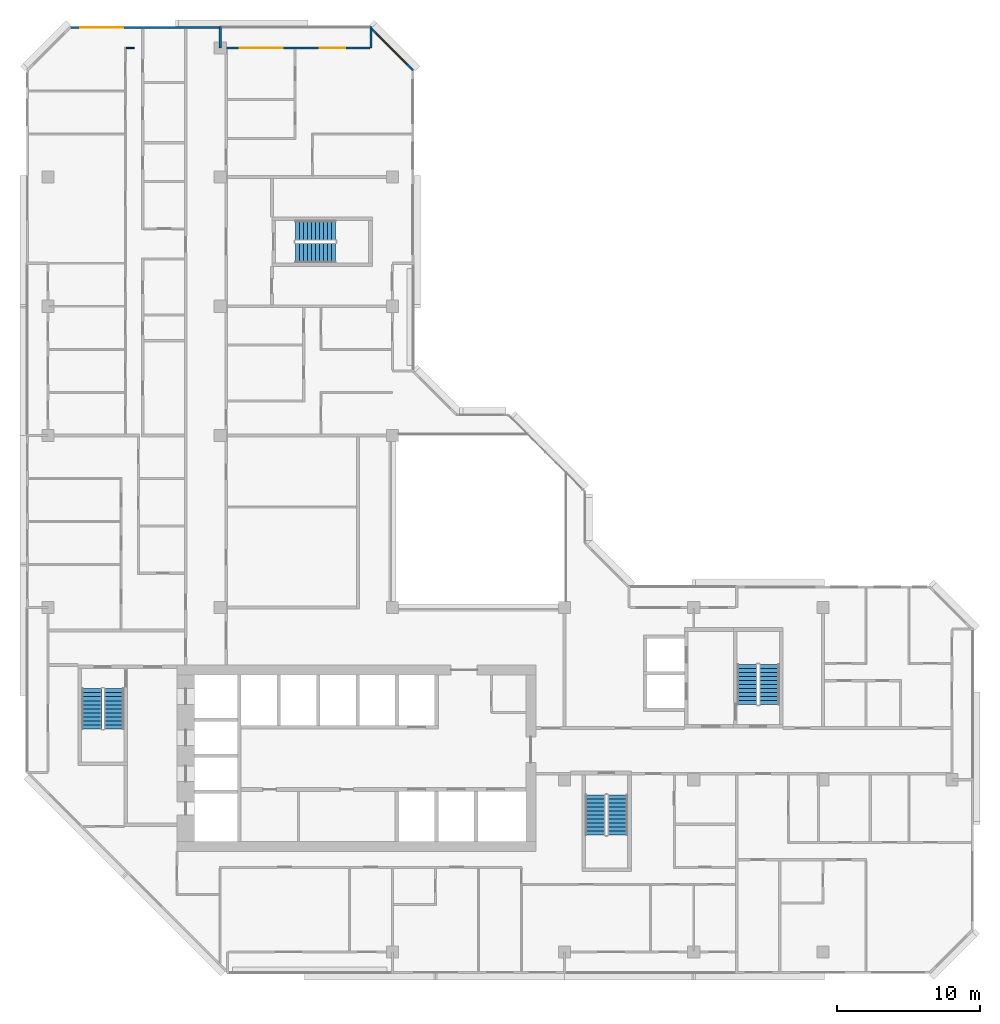
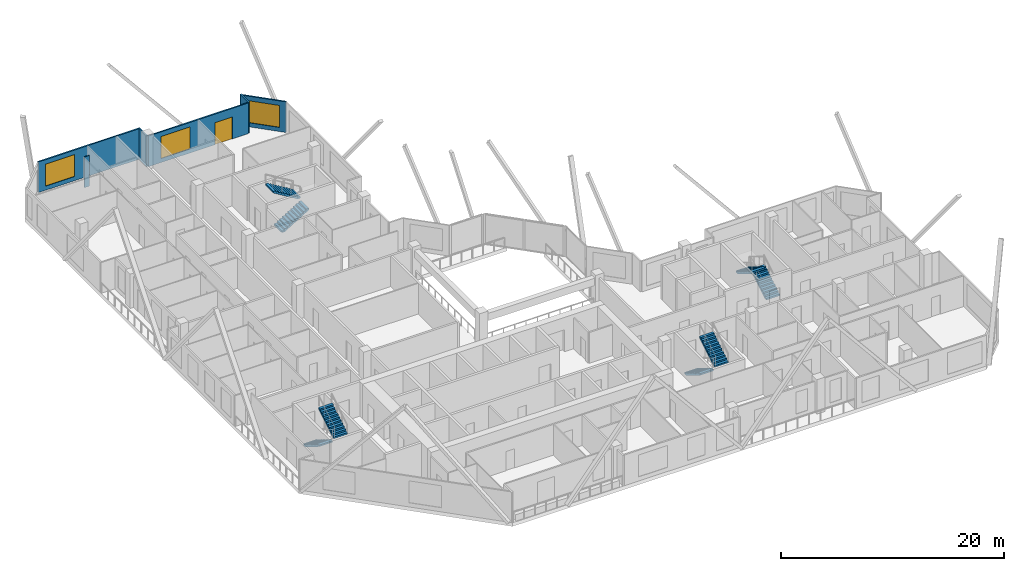
# One storey, part 13 of 15: 8 stair flights, 6 walls, 3 windows, 1 door, 4 openings, 4 elements without a shape of their own.
"""IFC4 building model written with IfcOpenShell, lengths in metres."""

import ifcopenshell
import ifcopenshell.guid

model = None  # the IFC model being written
_history = None  # IfcOwnerHistory: only IFC2X3 demands one
_inside = {}  # id of a spatial element -> (the spatial element, [elements in it])
_under = {}  # id of a project, library or spatial element -> (it, [spatial elements below it])
_declared = {}  # id of a project -> (the project, [libraries it declares])
_typed = {}  # id of a type object -> (the type object, [elements of that type])
_made_of = {}  # id of a material, layer set ... -> (it, [elements and type objects made of it])


def new_model(schema):
    """Start an empty IFC model of exactly this schema.

    Asked for "IFC4X3", IfcOpenShell would pick the latest addendum, in which some entities
    have other attributes; the version numbers below select the first issue.
    IFC2X3 requires an IfcOwnerHistory on every rooted entity: one is made here for all.
    """
    global model, _history
    if schema == "IFC4X3":
        model = ifcopenshell.file(schema_version=(4, 3, 0, 0))
    else:
        model = ifcopenshell.file(schema=schema)
    _inside.clear()
    _under.clear()
    _declared.clear()
    _typed.clear()
    _made_of.clear()
    _history = None
    if model.schema == "IFC2X3":
        org = make("IfcOrganization", Name="unknown")
        user = make(
            "IfcPersonAndOrganization",
            ThePerson=make("IfcPerson", FamilyName="unknown"),
            TheOrganization=org,
        )
        app = make(
            "IfcApplication",
            ApplicationDeveloper=org,
            Version="unknown",
            ApplicationFullName="unknown",
            ApplicationIdentifier="unknown",
        )
        _history = make(
            "IfcOwnerHistory",
            OwningUser=user,
            OwningApplication=app,
            ChangeAction="ADDED",
            CreationDate=0,
        )
    return model


def make(cls, **values):
    """One entity of the class cls with the attributes given. An attribute that is None is left unset."""
    return model.create_entity(
        cls, **{name: value for name, value in values.items() if value is not None}
    )


def rooted(cls, **values):
    """An entity with a GlobalId (a new one), such as an element, a storey or a relation."""
    return make(cls, GlobalId=ifcopenshell.guid.new(), OwnerHistory=_history, **values)


def si_unit(unit_type, name, prefix=None):
    """IfcSIUnit, for example si_unit("LENGTHUNIT", "METRE", prefix="MILLI")."""
    return make("IfcSIUnit", UnitType=unit_type, Prefix=prefix, Name=name)


def assignment(units):
    """IfcUnitAssignment: the units of a project."""
    return None if units is None else make("IfcUnitAssignment", Units=units)


def point(xyz):
    """IfcCartesianPoint."""
    return None if xyz is None else make("IfcCartesianPoint", Coordinates=xyz)


def direction(xyz):
    """IfcDirection."""
    return None if xyz is None else make("IfcDirection", DirectionRatios=xyz)


def frame(location, z_axis=None, x_axis=None):
    """IfcAxis2Placement3D, a coordinate frame: its origin and axes. An axis left out is left unset."""
    return make(
        "IfcAxis2Placement3D",
        Location=point(location),
        Axis=direction(z_axis),
        RefDirection=direction(x_axis),
    )


def frame_2d(location, x_axis=None):
    """IfcAxis2Placement2D, a coordinate frame in the plane: its origin and x axis."""
    return make(
        "IfcAxis2Placement2D", Location=point(location), RefDirection=direction(x_axis)
    )


def origin():
    """The frame at (0, 0, 0) with its axes left unset."""
    return frame((0.0, 0.0, 0.0))


def place(relative_to, where):
    """IfcLocalPlacement: puts the frame where relative to a parent placement (None: the world)."""
    return make(
        "IfcLocalPlacement", PlacementRelTo=relative_to, RelativePlacement=where
    )


def context(
    kind, dimensions, precision=None, world=None, true_north=None, identifier=None
):
    """IfcGeometricRepresentationContext, for example the 3D "Model" context."""
    return make(
        "IfcGeometricRepresentationContext",
        ContextIdentifier=identifier,
        ContextType=kind,
        CoordinateSpaceDimension=dimensions,
        Precision=precision,
        WorldCoordinateSystem=world,
        TrueNorth=true_north,
    )


def subcontext(parent, identifier, kind, view, scale=None):
    """IfcGeometricRepresentationSubContext, for example "Body" below "Model"."""
    return make(
        "IfcGeometricRepresentationSubContext",
        ContextIdentifier=identifier,
        ContextType=kind,
        ParentContext=parent,
        TargetScale=scale,
        TargetView=view,
    )


def project(units=None, contexts=None):
    """IfcProject with its units and contexts."""
    return rooted(
        "IfcProject",
        Name="project",
        RepresentationContexts=contexts,
        UnitsInContext=assignment(units),
    )


def spatial(cls, under=None, at=None, **own):
    """A site, building, storey or space (cls), placed at a placement, below another one or the project."""
    s = rooted(cls, ObjectPlacement=at, **own)
    if under is not None:
        _under.setdefault(under.id(), (under, []))[1].append(s)
    return s


def polyline(points):
    """IfcPolyline through the points."""
    return make("IfcPolyline", Points=[point(p) for p in points])


def profile(cls, at=None, kind="AREA", **sizes):
    """A parametric profile (cls). Its sizes go by their IFC names, for example OverallWidth=200.0."""
    return make(cls, ProfileType=kind, Position=at, **sizes)


def rectangle(**sizes):
    """IfcRectangleProfileDef."""
    return profile("IfcRectangleProfileDef", **sizes)


def outline(outer, holes=None, kind="AREA"):
    """IfcArbitraryClosedProfileDef: a profile drawn as a closed curve; with holes, ...WithVoids."""
    if holes is None:
        return make("IfcArbitraryClosedProfileDef", ProfileType=kind, OuterCurve=outer)
    return make(
        "IfcArbitraryProfileDefWithVoids",
        ProfileType=kind,
        OuterCurve=outer,
        InnerCurves=holes,
    )


def extrude(swept, where, along, depth):
    """IfcExtrudedAreaSolid: the profile swept, set in the frame where, extruded along a direction by depth."""
    return make(
        "IfcExtrudedAreaSolid",
        SweptArea=swept,
        Position=where,
        ExtrudedDirection=direction(along),
        Depth=depth,
    )


def shape(context_of_items, identifier, shape_type, items):
    """IfcShapeRepresentation: the items that make up one representation, for example the "Body"."""
    return make(
        "IfcShapeRepresentation",
        ContextOfItems=context_of_items,
        RepresentationIdentifier=identifier,
        RepresentationType=shape_type,
        Items=items,
    )


def material(Name=None, Category=None):
    """IfcMaterial."""
    return make("IfcMaterial", Name=Name, Category=Category)


def layer(
    of_material, thickness, ventilated=None, Name=None, Category=None, Priority=None
):
    """IfcMaterialLayer: one layer of a wall or slab, of a material (None: an air gap)."""
    return make(
        "IfcMaterialLayer",
        Material=of_material,
        LayerThickness=thickness,
        IsVentilated=ventilated,
        Name=Name,
        Category=Category,
        Priority=Priority,
    )


def layer_set(layers, Name=None):
    """IfcMaterialLayerSet."""
    return make("IfcMaterialLayerSet", MaterialLayers=layers, LayerSetName=Name)


def made_of(thing, what):
    """Note that an element or type object is made of a material, layer set ...; save() writes the relation."""
    if what is not None:
        _made_of.setdefault(what.id(), (what, []))[1].append(thing)
    return thing


def type_object(cls, material=None, **own):
    """A type object (cls), such as IfcWallType, which elements share."""
    return made_of(rooted(cls, **own), material)


def element(
    cls,
    number,
    at=None,
    inside=None,
    cuts=None,
    type_object=None,
    material=None,
    context=None,
    identifier="Body",
    shape_type=None,
    held_by="IfcProductDefinitionShape",
    body=None,
    shapes=None,
    **own,
):
    """One element of the class cls, such as IfcWall. Its Tag is "e" and its number.

    at: its placement. inside: the storey or other place that contains it. cuts: it is an
    opening in that element (IfcRelVoidsElement). A single representation is given by context,
    identifier, shape_type and body (its items); several are given by shapes. held_by: the class
    of the entity that holds the representations. save() writes the other relations.
    """
    e = rooted(cls, Tag="e%d" % number, ObjectPlacement=at, **own)
    if body is not None:
        shapes = [shape(context, identifier, shape_type, body)]
    if shapes is not None:
        e.Representation = make(held_by, Representations=shapes)
    if inside is not None:
        _inside.setdefault(inside.id(), (inside, []))[1].append(e)
    if cuts is not None:
        rooted(
            "IfcRelVoidsElement", RelatingBuildingElement=cuts, RelatedOpeningElement=e
        )
    if type_object is not None:
        _typed.setdefault(type_object.id(), (type_object, []))[1].append(e)
    return made_of(e, material)


def fill(opening, filler):
    """IfcRelFillsElement: the door or window that sits in an opening."""
    return rooted(
        "IfcRelFillsElement",
        RelatingOpeningElement=opening,
        RelatedBuildingElement=filler,
    )


def aggregate(whole, parts):
    """IfcRelAggregates: a whole, such as a stair, and the parts it consists of."""
    return rooted("IfcRelAggregates", RelatingObject=whole, RelatedObjects=parts)


def save(model, path):
    """Write the relations noted so far, then the file.

    IfcRelAggregates (storeys below a building ...), IfcRelContainedInSpatialStructure (elements
    in a storey), IfcRelDefinesByType, IfcRelAssociatesMaterial and IfcRelDeclares: one each for
    every whole, place, type object, material and project.
    """
    for whole, parts in _under.values():
        aggregate(whole, parts)
    for where, things in _inside.values():
        rooted(
            "IfcRelContainedInSpatialStructure",
            RelatedElements=things,
            RelatingStructure=where,
        )
    for kind, things in _typed.values():
        rooted("IfcRelDefinesByType", RelatedObjects=things, RelatingType=kind)
    for what, things in _made_of.values():
        rooted("IfcRelAssociatesMaterial", RelatedObjects=things, RelatingMaterial=what)
    for by, libraries in _declared.values():
        rooted("IfcRelDeclares", RelatingContext=by, RelatedDefinitions=libraries)
    model.write(path)


model = new_model("IFC4")

# Units and contexts
model_context = context("Model", 3, precision=1e-05, world=origin(), true_north=direction((0.0, 1.0)))
body_context = subcontext(model_context, "Body", "Model", "MODEL_VIEW")
ifc_project = project(units=[si_unit("LENGTHUNIT", "METRE"), si_unit("AREAUNIT", "SQUARE_METRE"), si_unit("VOLUMEUNIT", "CUBIC_METRE"), si_unit("PLANEANGLEUNIT", "RADIAN"), si_unit("MASSUNIT", "GRAM", prefix="KILO")], contexts=[model_context])

# Site, building, storey
site_placement = place(None, origin())
site = spatial("IfcSite", under=ifc_project, at=site_placement, CompositionType="ELEMENT")
building_placement = place(site_placement, origin())
building = spatial("IfcBuilding", under=site, at=building_placement, Name="Chenar Terraces", CompositionType="ELEMENT")
storey_placement = place(building_placement, frame((0.0, 0.0, 245.39990234375)))
storey = spatial("IfcBuildingStorey", under=building, at=storey_placement, Name="L58", CompositionType="ELEMENT", Elevation=245.39990234375)

# Wall, opening, window
ifc_material_1 = material(Name="Aluminium framed glazing", Category="aluminium")
ifc_layer_1 = layer(ifc_material_1, 0.14990234375)
ifc_layer_set_1 = layer_set([ifc_layer_1], Name="Aluminium framed glazing")
wall_type_1 = type_object("IfcWallType", Name="Glazed flush facade wall 150", PredefinedType="SOLIDWALL", material=ifc_layer_set_1)
wall_1_placement = place(storey_placement, frame((11.925048828125, 64.425048828125, 0.0), z_axis=(0.0, 0.0, 1.0), x_axis=(-1.0, 0.0, 0.0)))
wall_1 = element("IfcWall", 1, at=wall_1_placement, inside=storey, type_object=wall_type_1, Name="Glazed flush facade wall", PredefinedType="SOLIDWALL", context=body_context, shape_type="SweptSolid", body=[
    extrude(rectangle(XDim=10.425048828125, YDim=0.14990234375, at=frame_2d((5.21240234375, 0.0))), origin(), (0.0, 0.0, 1.0), 3.35009765625),
])
opening_1_placement = place(wall_1_placement, frame((6.675048828125, 0.0, 0.449951171875)))
opening_1 = element("IfcOpeningElement", 2, at=opening_1_placement, cuts=wall_1, Name="Opening W300x240", PredefinedType="OPENING", context=body_context, shape_type="SweptSolid", body=[
    extrude(rectangle(XDim=3.0, YDim=2.39990234375, at=frame_2d((1.5, 1.199951171875))), frame((0.0, 0.0849609375, 0.0), z_axis=(0.0, -1.0, 0.0), x_axis=(1.0, 0.0, 0.0)), (0.0, 0.0, 1.0), 0.169921875),
])
ifc_material_2 = material(Name="Low emissivity double glazing, aluminium frame", Category="aluminium")
window_type = type_object("IfcWindowType", Name="Fixed light 3000 x 2400", PartitioningType="SINGLE_PANEL", PredefinedType="WINDOW", material=ifc_material_2)
window_1_placement = place(opening_1_placement, origin())
window_1 = element("IfcWindow", 3, at=window_1_placement, inside=storey, type_object=window_type, Name="Window", OverallHeight=2.39990234375, OverallWidth=3.0, PartitioningType="SINGLE_PANEL", PredefinedType="WINDOW", context=body_context, shape_type="SweptSolid", body=[
    extrude(rectangle(XDim=3.0, YDim=2.39990234375, at=frame_2d((1.5, 1.199951171875))), frame((0.0, 0.030029296875, 0.0), z_axis=(0.0, -1.0, 0.0), x_axis=(1.0, 0.0, 0.0)), (0.0, 0.0, 1.0), 0.06005859375),
])
fill(opening_1, window_1)

# Wall, openings, window, door
ifc_material_3 = material(Name="Aluminium framed glazing", Category="aluminium")
ifc_layer_2 = layer(ifc_material_3, 0.14990234375)
ifc_layer_set_2 = layer_set([ifc_layer_2], Name="Aluminium framed glazing")
wall_type_2 = type_object("IfcWallType", Name="Glazed loggia back wall 150", PredefinedType="SOLIDWALL", material=ifc_layer_set_2)
wall_2_placement = place(storey_placement, frame((22.425048828125, 63.0, 0.0), z_axis=(0.0, 0.0, 1.0), x_axis=(-1.0, 0.0, 0.0)))
wall_2 = element("IfcWall", 4, at=wall_2_placement, inside=storey, type_object=wall_type_2, Name="Glazed loggia back wall", PredefinedType="SOLIDWALL", context=body_context, shape_type="SweptSolid", body=[
    extrude(rectangle(XDim=10.35009765625, YDim=0.14990234375, at=frame_2d((5.175048828125, 0.0))), origin(), (0.0, 0.0, 1.0), 3.35009765625),
])
opening_2_placement = place(wall_2_placement, frame((1.699951171875, 0.0, 0.0)))
opening_2 = element("IfcOpeningElement", 5, at=opening_2_placement, cuts=wall_2, Name="Opening DL58-G2", PredefinedType="OPENING", context=body_context, shape_type="SweptSolid", body=[
    extrude(rectangle(XDim=1.800048828125, YDim=2.39990234375, at=frame_2d((0.89990234375, 1.199951171875))), frame((0.0, 0.0849609375, 0.0), z_axis=(0.0, -1.0, 0.0), x_axis=(1.0, 0.0, 0.0)), (0.0, 0.0, 1.0), 0.169921875),
])
opening_3_placement = place(wall_2_placement, frame((6.050048828125, 0.0, 0.449951171875)))
opening_3 = element("IfcOpeningElement", 6, at=opening_3_placement, cuts=wall_2, Name="Opening W300x240", PredefinedType="OPENING", context=body_context, shape_type="SweptSolid", body=[
    extrude(rectangle(XDim=3.0, YDim=2.39990234375, at=frame_2d((1.5, 1.199951171875))), frame((0.0, 0.0849609375, 0.0), z_axis=(0.0, -1.0, 0.0), x_axis=(1.0, 0.0, 0.0)), (0.0, 0.0, 1.0), 0.169921875),
])
window_2_placement = place(opening_3_placement, origin())
window_2 = element("IfcWindow", 7, at=window_2_placement, inside=storey, type_object=window_type, Name="Window", OverallHeight=2.39990234375, OverallWidth=3.0, PartitioningType="SINGLE_PANEL", PredefinedType="WINDOW", context=body_context, shape_type="SweptSolid", body=[
    extrude(rectangle(XDim=3.0, YDim=2.39990234375, at=frame_2d((1.5, 1.199951171875))), frame((0.0, 0.030029296875, 0.0), z_axis=(0.0, -1.0, 0.0), x_axis=(1.0, 0.0, 0.0)), (0.0, 0.0, 1.0), 0.06005859375),
])
fill(opening_3, window_2)
ifc_material_4 = material(Name="Low emissivity double glazing, aluminium frame", Category="aluminium")
door_type = type_object("IfcDoorType", Name="Loggia glazed double door 1800 x 2400", OperationType="DOUBLE_DOOR_SINGLE_SWING", PredefinedType="DOOR", material=ifc_material_4)
door_placement = place(opening_2_placement, frame((1.800048828125, 0.0, 0.0), z_axis=(0.0, 0.0, 1.0), x_axis=(-1.0, 0.0, 0.0)))
door = element("IfcDoor", 8, at=door_placement, inside=storey, type_object=door_type, Name="Loggia glazed door", OperationType="DOUBLE_DOOR_SINGLE_SWING", OverallHeight=2.39990234375, OverallWidth=1.800048828125, PredefinedType="DOOR", context=body_context, shape_type="SweptSolid", body=[
    extrude(rectangle(XDim=1.800048828125, YDim=2.39990234375, at=frame_2d((0.89990234375, 1.199951171875))), frame((0.0, 0.02490234375, 0.0), z_axis=(0.0, -1.0, 0.0), x_axis=(1.0, 0.0, 0.0)), (0.0, 0.0, 1.0), 0.050048828125),
])
fill(opening_2, door)

# Walls
ifc_material_5 = material(Name="Gypsum board on steel studs", Category="steel")
ifc_layer_3 = layer(ifc_material_5, 0.10009765625)
ifc_layer_set_3 = layer_set([ifc_layer_3], Name="Gypsum board on steel studs")
wall_type_3 = type_object("IfcWallType", Name="Gypsum partition 100", PredefinedType="PARTITIONING", material=ifc_layer_set_3)
wall_3_placement = place(storey_placement, frame((5.449951171875, 63.0, 0.0), z_axis=(0.0, 0.0, 1.0), x_axis=(1.0, 0.0, 0.0)))
element("IfcWall", 9, at=wall_3_placement, inside=storey, type_object=wall_type_3, Name="Partition L58-016", PredefinedType="PARTITIONING", context=body_context, shape_type="SweptSolid", body=[
    extrude(rectangle(XDim=0.550048828125, YDim=0.10009765625, at=frame_2d((0.27490234375, 0.0))), origin(), (0.0, 0.0, 1.0), 3.35009765625),
])
ifc_material_6 = material(Name="Terracotta cladding on insulated backing", Category="masonry")
ifc_layer_4 = layer(ifc_material_6, 0.14990234375)
ifc_layer_set_4 = layer_set([ifc_layer_4], Name="Terracotta cladding on insulated backing")
wall_type_4 = type_object("IfcWallType", Name="Loggia return wall 150", PredefinedType="SOLIDWALL", material=ifc_layer_set_4)
for number, where, z_axis, x_axis, name in (
    (10, (22.5, 64.5, 0.0), (0.0, 0.0, 1.0), (0.0, -1.0, 0.0), "Loggia return wall"),
    (11, (12.0, 64.5, 0.0), (0.0, 0.0, 1.0), (0.0, -1.0, 0.0), "Loggia return wall"),
):
    element("IfcWall", number, at=place(storey_placement, frame(where, z_axis=z_axis, x_axis=x_axis)), inside=storey, type_object=wall_type_4, Name=name, PredefinedType="SOLIDWALL", context=body_context, shape_type="SweptSolid", body=[
        extrude(rectangle(XDim=1.5, YDim=0.14990234375, at=frame_2d((0.75, 0.0))), origin(), (0.0, 0.0, 1.0), 3.35009765625),
    ])

# Wall, opening, window
ifc_material_7 = material(Name="Terracotta cladding on insulated backing", Category="masonry")
ifc_layer_5 = layer(ifc_material_7, 0.14990234375)
ifc_layer_set_5 = layer_set([ifc_layer_5], Name="Terracotta cladding on insulated backing")
wall_type_5 = type_object("IfcWallType", Name="Terracotta rainscreen wall 150", PredefinedType="SOLIDWALL", material=ifc_layer_set_5)
wall_4_placement = place(storey_placement, frame((25.447021484375, 61.447021484375, 0.0), z_axis=(0.0, 0.0, 1.0), x_axis=(-0.707106781187, 0.707106781187, 0.0)))
wall_4 = element("IfcWall", 12, at=wall_4_placement, inside=storey, type_object=wall_type_5, Name="Terracotta rainscreen wall", PredefinedType="SOLIDWALL", context=body_context, shape_type="SweptSolid", body=[
    extrude(rectangle(XDim=4.24267578125, YDim=0.14990234375, at=frame_2d((2.121337890625, 0.0))), origin(), (0.0, 0.0, 1.0), 3.35009765625),
])
opening_4_placement = place(wall_4_placement, frame((0.621337890625, 0.0, 0.449951171875)))
opening_4 = element("IfcOpeningElement", 13, at=opening_4_placement, cuts=wall_4, Name="Opening W300x240", PredefinedType="OPENING", context=body_context, shape_type="SweptSolid", body=[
    extrude(rectangle(XDim=3.0, YDim=2.39990234375, at=frame_2d((1.5, 1.199951171875))), frame((0.0, 0.0849609375, 0.0), z_axis=(0.0, -1.0, 0.0), x_axis=(1.0, 0.0, 0.0)), (0.0, 0.0, 1.0), 0.169921875),
])
window_3_placement = place(opening_4_placement, origin())
window_3 = element("IfcWindow", 14, at=window_3_placement, inside=storey, type_object=window_type, Name="Window", OverallHeight=2.39990234375, OverallWidth=3.0, PartitioningType="SINGLE_PANEL", PredefinedType="WINDOW", context=body_context, shape_type="SweptSolid", body=[
    extrude(rectangle(XDim=3.0, YDim=2.39990234375, at=frame_2d((1.5, 1.199951171875))), frame((0.0, 0.030029296875, 0.0), z_axis=(0.0, -1.0, 0.0), x_axis=(1.0, 0.0, 0.0)), (0.0, 0.0, 1.0), 0.06005859375),
])
fill(opening_4, window_3)

# Stair, stair flights
ifc_material_8 = material(Name="Reinforced concrete C40/50", Category="concrete")
stair_type = type_object("IfcStairType", Name="Core stair 1400 half-turn", PredefinedType="HALF_TURN_STAIR", material=ifc_material_8)
placement = place(storey_placement, origin())
stair_1 = element("IfcStair", 15, at=placement, inside=storey, type_object=stair_type, Name="L58 Stair 1", PredefinedType="HALF_TURN_STAIR")
ifc_material_9 = material(Name="Reinforced concrete C40/50", Category="concrete")
stair_flight_type = type_object("IfcStairFlightType", Name="Core stair flight 1400", PredefinedType="STRAIGHT", material=ifc_material_9)
stair_flight_1_placement = place(storey_placement, frame((3.050048828125, 18.35009765625, 0.0), z_axis=(0.0, 0.0, 1.0), x_axis=(0.0, -1.0, 0.0)))
stair_flight_1 = element("IfcStairFlight", 16, at=stair_flight_1_placement, type_object=stair_flight_type, Name="ST1 flight 1", NumberOfRisers=11, NumberOfTreads=10, PredefinedType="STRAIGHT", RiserHeight=0.170454545, TreadLength=0.28, context=body_context, shape_type="SweptSolid", body=[
    extrude(outline(polyline([(-0.0029296875, 0.0), (-0.0029296875, 0.17041015625), (0.0, 0.17041015625), (0.280029296875, 0.17041015625), (0.280029296875, 0.3408203125), (0.56005859375, 0.3408203125), (0.56005859375, 0.511474609375), (0.840087890625, 0.511474609375), (0.840087890625, 0.681884765625), (1.1201171875, 0.681884765625), (1.1201171875, 0.852294921875), (1.39990234375, 0.852294921875), (1.39990234375, 1.022705078125), (1.679931640625, 1.022705078125), (1.679931640625, 1.193115234375), (1.9599609375, 1.193115234375), (1.9599609375, 1.363525390625), (2.239990234375, 1.363525390625), (2.239990234375, 1.5341796875), (2.52001953125, 1.5341796875), (2.52001953125, 1.70458984375), (2.800048828125, 1.70458984375), (2.802978515625, 1.70458984375), (2.802978515625, 1.529052734375), (2.800048828125, 1.529052734375), (0.288330078125, 0.0), (-0.0029296875, 0.0)])), frame((0.0, 0.699951171875, 0.0), z_axis=(0.0, -1.0, 0.0), x_axis=(1.0, 0.0, 0.0)), (0.0, 0.0, 1.0), 1.39990234375),
])
stair_flight_2_placement = place(storey_placement, frame((4.60009765625, 15.550048828125, 1.875), z_axis=(0.0, 0.0, 1.0), x_axis=(0.0, 1.0, 0.0)))
stair_flight_2 = element("IfcStairFlight", 17, at=stair_flight_2_placement, type_object=stair_flight_type, Name="ST1 flight 2", NumberOfRisers=11, NumberOfTreads=10, PredefinedType="STRAIGHT", RiserHeight=0.170454545, TreadLength=0.28, context=body_context, shape_type="SweptSolid", body=[
    extrude(outline(polyline([(-0.0029296875, 0.0), (-0.0029296875, 0.17041015625), (0.0, 0.17041015625), (0.280029296875, 0.17041015625), (0.280029296875, 0.3408203125), (0.56005859375, 0.3408203125), (0.56005859375, 0.511474609375), (0.840087890625, 0.511474609375), (0.840087890625, 0.681884765625), (1.1201171875, 0.681884765625), (1.1201171875, 0.852294921875), (1.39990234375, 0.852294921875), (1.39990234375, 1.022705078125), (1.679931640625, 1.022705078125), (1.679931640625, 1.193115234375), (1.9599609375, 1.193115234375), (1.9599609375, 1.363525390625), (2.239990234375, 1.363525390625), (2.239990234375, 1.5341796875), (2.52001953125, 1.5341796875), (2.52001953125, 1.70458984375), (2.800048828125, 1.70458984375), (2.802978515625, 1.70458984375), (2.802978515625, 1.529052734375), (2.800048828125, 1.529052734375), (0.288330078125, 0.0), (-0.0029296875, 0.0)])), frame((0.0, 0.699951171875, 0.0), z_axis=(0.0, -1.0, 0.0), x_axis=(1.0, 0.0, 0.0)), (0.0, 0.0, 1.0), 1.39990234375),
])
aggregate(stair_1, [stair_flight_1, stair_flight_2])

stair_2 = element("IfcStair", 18, at=placement, inside=storey, type_object=stair_type, Name="L58 Stair 2", PredefinedType="HALF_TURN_STAIR")
stair_flight_3_placement = place(storey_placement, frame((38.14990234375, 10.949951171875, 0.0), z_axis=(0.0, 0.0, 1.0), x_axis=(0.0, -1.0, 0.0)))
stair_flight_3 = element("IfcStairFlight", 19, at=stair_flight_3_placement, type_object=stair_flight_type, Name="ST2 flight 1", NumberOfRisers=11, NumberOfTreads=10, PredefinedType="STRAIGHT", RiserHeight=0.170454545, TreadLength=0.28, context=body_context, shape_type="SweptSolid", body=[
    extrude(outline(polyline([(-0.0029296875, 0.0), (-0.0029296875, 0.17041015625), (0.0, 0.17041015625), (0.280029296875, 0.17041015625), (0.280029296875, 0.3408203125), (0.56005859375, 0.3408203125), (0.56005859375, 0.511474609375), (0.840087890625, 0.511474609375), (0.840087890625, 0.681884765625), (1.1201171875, 0.681884765625), (1.1201171875, 0.852294921875), (1.39990234375, 0.852294921875), (1.39990234375, 1.022705078125), (1.679931640625, 1.022705078125), (1.679931640625, 1.193115234375), (1.9599609375, 1.193115234375), (1.9599609375, 1.363525390625), (2.239990234375, 1.363525390625), (2.239990234375, 1.5341796875), (2.52001953125, 1.5341796875), (2.52001953125, 1.70458984375), (2.800048828125, 1.70458984375), (2.802978515625, 1.70458984375), (2.802978515625, 1.529052734375), (2.800048828125, 1.529052734375), (0.288330078125, 0.0), (-0.0029296875, 0.0)])), frame((0.0, 0.699951171875, 0.0), z_axis=(0.0, -1.0, 0.0), x_axis=(1.0, 0.0, 0.0)), (0.0, 0.0, 1.0), 1.39990234375),
])
stair_flight_4_placement = place(storey_placement, frame((39.699951171875, 8.14990234375, 1.875), z_axis=(0.0, 0.0, 1.0), x_axis=(0.0, 1.0, 0.0)))
stair_flight_4 = element("IfcStairFlight", 20, at=stair_flight_4_placement, type_object=stair_flight_type, Name="ST2 flight 2", NumberOfRisers=11, NumberOfTreads=10, PredefinedType="STRAIGHT", RiserHeight=0.170454545, TreadLength=0.28, context=body_context, shape_type="SweptSolid", body=[
    extrude(outline(polyline([(-0.0029296875, 0.0), (-0.0029296875, 0.17041015625), (0.0, 0.17041015625), (0.280029296875, 0.17041015625), (0.280029296875, 0.3408203125), (0.56005859375, 0.3408203125), (0.56005859375, 0.511474609375), (0.840087890625, 0.511474609375), (0.840087890625, 0.681884765625), (1.1201171875, 0.681884765625), (1.1201171875, 0.852294921875), (1.39990234375, 0.852294921875), (1.39990234375, 1.022705078125), (1.679931640625, 1.022705078125), (1.679931640625, 1.193115234375), (1.9599609375, 1.193115234375), (1.9599609375, 1.363525390625), (2.239990234375, 1.363525390625), (2.239990234375, 1.5341796875), (2.52001953125, 1.5341796875), (2.52001953125, 1.70458984375), (2.800048828125, 1.70458984375), (2.802978515625, 1.70458984375), (2.802978515625, 1.529052734375), (2.800048828125, 1.529052734375), (0.288330078125, 0.0), (-0.0029296875, 0.0)])), frame((0.0, 0.699951171875, 0.0), z_axis=(0.0, -1.0, 0.0), x_axis=(1.0, 0.0, 0.0)), (0.0, 0.0, 1.0), 1.39990234375),
])
aggregate(stair_2, [stair_flight_3, stair_flight_4])

stair_3 = element("IfcStair", 21, at=placement, inside=storey, type_object=stair_type, Name="L58 Stair 3", PredefinedType="HALF_TURN_STAIR")
stair_flight_5_placement = place(storey_placement, frame((50.27490234375, 17.25, 0.0), z_axis=(0.0, 0.0, 1.0), x_axis=(0.0, 1.0, 0.0)))
stair_flight_5 = element("IfcStairFlight", 22, at=stair_flight_5_placement, type_object=stair_flight_type, Name="ST3 flight 1", NumberOfRisers=11, NumberOfTreads=10, PredefinedType="STRAIGHT", RiserHeight=0.170454545, TreadLength=0.28, context=body_context, shape_type="SweptSolid", body=[
    extrude(outline(polyline([(-0.0029296875, 0.0), (-0.0029296875, 0.17041015625), (0.0, 0.17041015625), (0.280029296875, 0.17041015625), (0.280029296875, 0.3408203125), (0.56005859375, 0.3408203125), (0.56005859375, 0.511474609375), (0.840087890625, 0.511474609375), (0.840087890625, 0.681884765625), (1.1201171875, 0.681884765625), (1.1201171875, 0.852294921875), (1.39990234375, 0.852294921875), (1.39990234375, 1.022705078125), (1.679931640625, 1.022705078125), (1.679931640625, 1.193115234375), (1.9599609375, 1.193115234375), (1.9599609375, 1.363525390625), (2.239990234375, 1.363525390625), (2.239990234375, 1.5341796875), (2.52001953125, 1.5341796875), (2.52001953125, 1.70458984375), (2.800048828125, 1.70458984375), (2.802978515625, 1.70458984375), (2.802978515625, 1.529052734375), (2.800048828125, 1.529052734375), (0.288330078125, 0.0), (-0.0029296875, 0.0)])), frame((0.0, 0.699951171875, 0.0), z_axis=(0.0, -1.0, 0.0), x_axis=(1.0, 0.0, 0.0)), (0.0, 0.0, 1.0), 1.39990234375),
])
stair_flight_6_placement = place(storey_placement, frame((48.72509765625, 20.050048828125, 1.875), z_axis=(0.0, 0.0, 1.0), x_axis=(0.0, -1.0, 0.0)))
stair_flight_6 = element("IfcStairFlight", 23, at=stair_flight_6_placement, type_object=stair_flight_type, Name="ST3 flight 2", NumberOfRisers=11, NumberOfTreads=10, PredefinedType="STRAIGHT", RiserHeight=0.170454545, TreadLength=0.28, context=body_context, shape_type="SweptSolid", body=[
    extrude(outline(polyline([(-0.0029296875, 0.0), (-0.0029296875, 0.17041015625), (0.0, 0.17041015625), (0.280029296875, 0.17041015625), (0.280029296875, 0.3408203125), (0.56005859375, 0.3408203125), (0.56005859375, 0.511474609375), (0.840087890625, 0.511474609375), (0.840087890625, 0.681884765625), (1.1201171875, 0.681884765625), (1.1201171875, 0.852294921875), (1.39990234375, 0.852294921875), (1.39990234375, 1.022705078125), (1.679931640625, 1.022705078125), (1.679931640625, 1.193115234375), (1.9599609375, 1.193115234375), (1.9599609375, 1.363525390625), (2.239990234375, 1.363525390625), (2.239990234375, 1.5341796875), (2.52001953125, 1.5341796875), (2.52001953125, 1.70458984375), (2.800048828125, 1.70458984375), (2.802978515625, 1.70458984375), (2.802978515625, 1.529052734375), (2.800048828125, 1.529052734375), (0.288330078125, 0.0), (-0.0029296875, 0.0)])), frame((0.0, 0.699951171875, 0.0), z_axis=(0.0, -1.0, 0.0), x_axis=(1.0, 0.0, 0.0)), (0.0, 0.0, 1.0), 1.39990234375),
])
aggregate(stair_3, [stair_flight_5, stair_flight_6])

stair_4 = element("IfcStair", 24, at=placement, inside=storey, type_object=stair_type, Name="L58 Stair 4", PredefinedType="HALF_TURN_STAIR")
stair_flight_7_placement = place(storey_placement, frame((17.25, 48.72509765625, 0.0), z_axis=(0.0, 0.0, 1.0), x_axis=(1.0, 0.0, 0.0)))
stair_flight_7 = element("IfcStairFlight", 25, at=stair_flight_7_placement, type_object=stair_flight_type, Name="ST4 flight 1", NumberOfRisers=11, NumberOfTreads=10, PredefinedType="STRAIGHT", RiserHeight=0.170454545, TreadLength=0.28, context=body_context, shape_type="SweptSolid", body=[
    extrude(outline(polyline([(-0.0029296875, 0.0), (-0.0029296875, 0.17041015625), (0.0, 0.17041015625), (0.280029296875, 0.17041015625), (0.280029296875, 0.3408203125), (0.56005859375, 0.3408203125), (0.56005859375, 0.511474609375), (0.840087890625, 0.511474609375), (0.840087890625, 0.681884765625), (1.1201171875, 0.681884765625), (1.1201171875, 0.852294921875), (1.39990234375, 0.852294921875), (1.39990234375, 1.022705078125), (1.679931640625, 1.022705078125), (1.679931640625, 1.193115234375), (1.9599609375, 1.193115234375), (1.9599609375, 1.363525390625), (2.239990234375, 1.363525390625), (2.239990234375, 1.5341796875), (2.52001953125, 1.5341796875), (2.52001953125, 1.70458984375), (2.800048828125, 1.70458984375), (2.802978515625, 1.70458984375), (2.802978515625, 1.529052734375), (2.800048828125, 1.529052734375), (0.288330078125, 0.0), (-0.0029296875, 0.0)])), frame((0.0, 0.699951171875, 0.0), z_axis=(0.0, -1.0, 0.0), x_axis=(1.0, 0.0, 0.0)), (0.0, 0.0, 1.0), 1.39990234375),
])
stair_flight_8_placement = place(storey_placement, frame((20.050048828125, 50.27490234375, 1.875), z_axis=(0.0, 0.0, 1.0), x_axis=(-1.0, 0.0, 0.0)))
stair_flight_8 = element("IfcStairFlight", 26, at=stair_flight_8_placement, type_object=stair_flight_type, Name="ST4 flight 2", NumberOfRisers=11, NumberOfTreads=10, PredefinedType="STRAIGHT", RiserHeight=0.170454545, TreadLength=0.28, context=body_context, shape_type="SweptSolid", body=[
    extrude(outline(polyline([(-0.0029296875, 0.0), (-0.0029296875, 0.17041015625), (0.0, 0.17041015625), (0.280029296875, 0.17041015625), (0.280029296875, 0.3408203125), (0.56005859375, 0.3408203125), (0.56005859375, 0.511474609375), (0.840087890625, 0.511474609375), (0.840087890625, 0.681884765625), (1.1201171875, 0.681884765625), (1.1201171875, 0.852294921875), (1.39990234375, 0.852294921875), (1.39990234375, 1.022705078125), (1.679931640625, 1.022705078125), (1.679931640625, 1.193115234375), (1.9599609375, 1.193115234375), (1.9599609375, 1.363525390625), (2.239990234375, 1.363525390625), (2.239990234375, 1.5341796875), (2.52001953125, 1.5341796875), (2.52001953125, 1.70458984375), (2.800048828125, 1.70458984375), (2.802978515625, 1.70458984375), (2.802978515625, 1.529052734375), (2.800048828125, 1.529052734375), (0.288330078125, 0.0), (-0.0029296875, 0.0)])), frame((0.0, 0.699951171875, 0.0), z_axis=(0.0, -1.0, 0.0), x_axis=(1.0, 0.0, 0.0)), (0.0, 0.0, 1.0), 1.39990234375),
])
aggregate(stair_4, [stair_flight_7, stair_flight_8])

save(model, "model.ifc")
